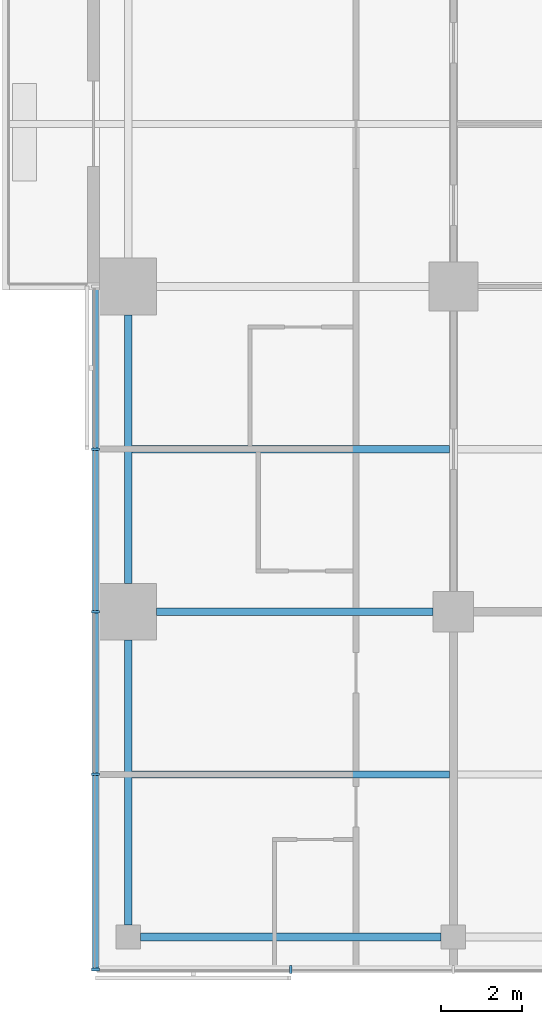
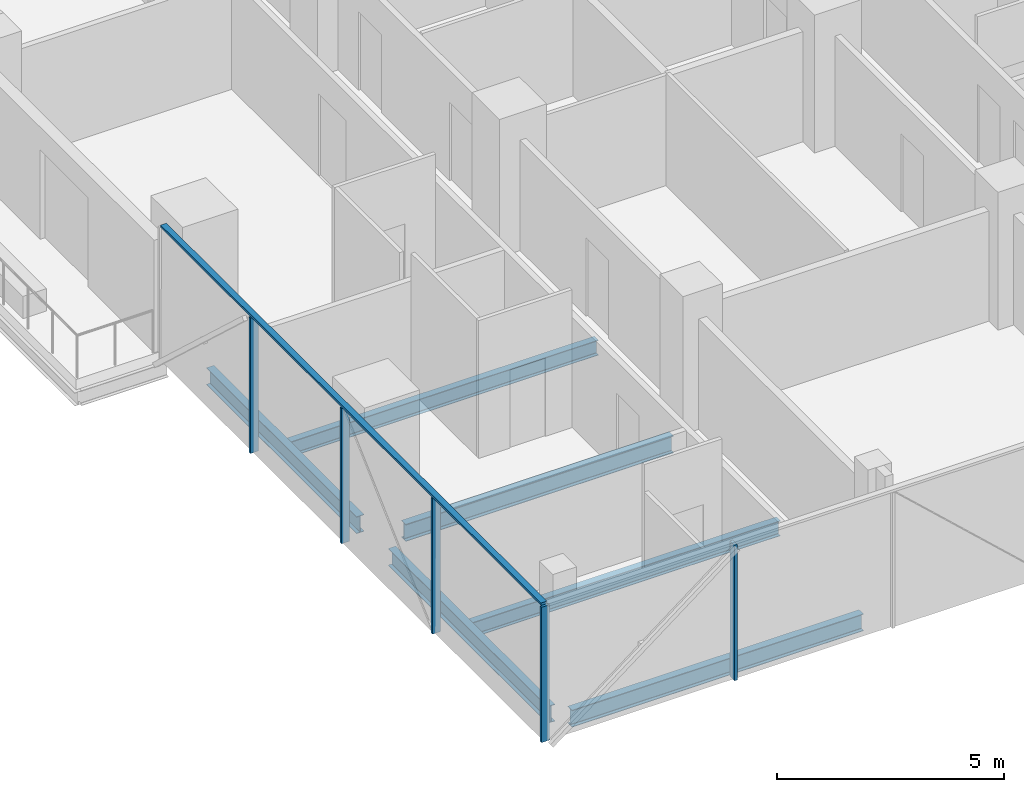
# One storey, part 2 of 27: 6 beams, 6 members, 2 elements without a shape of their own.
"""IFC4 building model written with IfcOpenShell, lengths in metres."""

from ifc_helpers import new_model, si_unit, direction, frame, origin, origin_2d, place, context, subcontext, project, spatial, rectangle, i_section, extrude, material, material_profile, profile_set, type_object, element, aggregate, save


model = new_model("IFC4")

# Units and contexts
model_context = context("Model", 3, precision=1e-05, world=origin(), true_north=direction((0.0, 1.0)))
body_context = subcontext(model_context, "Body", "Model", "MODEL_VIEW")
ifc_project = project(units=[si_unit("LENGTHUNIT", "METRE"), si_unit("AREAUNIT", "SQUARE_METRE"), si_unit("VOLUMEUNIT", "CUBIC_METRE"), si_unit("PLANEANGLEUNIT", "RADIAN"), si_unit("MASSUNIT", "GRAM", prefix="KILO")], contexts=[model_context])

# Site, building, storey
site_placement = place(None, origin())
site = spatial("IfcSite", under=ifc_project, at=site_placement, CompositionType="ELEMENT")
building_placement = place(site_placement, origin())
building = spatial("IfcBuilding", under=site, at=building_placement, Name="Crosswind Convention Tower", CompositionType="ELEMENT")
storey_placement = place(building_placement, frame((0.0, 0.0, 79.39990234375)))
storey = spatial("IfcBuildingStorey", under=building, at=storey_placement, Name="L14", CompositionType="ELEMENT", Elevation=79.39990234375)

# Beams
ifc_material_1 = material(Name="Steel S355", Category="steel")
ifc_material_profile_1 = material_profile(ifc_material_1, i_section(OverallWidth=0.1904296875, OverallDepth=0.457275390625, WebThickness=0.009033203125, FlangeThickness=0.014404296875, FilletRadius=0.01025390625, at=origin_2d()), Name="UB 457x191x75")
ifc_profile_set_1 = profile_set([ifc_material_profile_1], Name="Steel S355")
beam_type_1 = type_object("IfcBeamType", Name="Edge beam UB 457x191x75", PredefinedType="SPANDREL", material=ifc_profile_set_1)
beam_1_placement = place(storey_placement, frame((113.0, 64.300048828125, -0.508544921875), z_axis=(0.0, 1.0, 0.0), x_axis=(-1.0, 0.0, 0.0)))
element("IfcBeam", 1, at=beam_1_placement, inside=storey, type_object=beam_type_1, Name="B17 L14 edge beam 6", PredefinedType="SPANDREL", context=body_context, shape_type="SweptSolid", body=[
    extrude(i_section(OverallWidth=0.1904296875, OverallDepth=0.457275390625, WebThickness=0.009033203125, FlangeThickness=0.014404296875, FilletRadius=0.01025390625, at=origin_2d()), origin(), (0.0, 0.0, 1.0), 7.0),
])
beam_2_placement = place(storey_placement, frame((113.0, 72.699951171875, -0.508544921875), z_axis=(0.0, 1.0, 0.0), x_axis=(-1.0, 0.0, 0.0)))
element("IfcBeam", 2, at=beam_2_placement, inside=storey, type_object=beam_type_1, Name="B17 L14 edge beam 7", PredefinedType="SPANDREL", context=body_context, shape_type="SweptSolid", body=[
    extrude(i_section(OverallWidth=0.1904296875, OverallDepth=0.457275390625, WebThickness=0.009033203125, FlangeThickness=0.014404296875, FilletRadius=0.01025390625, at=origin_2d()), origin(), (0.0, 0.0, 1.0), 6.60009765625),
])
beam_3_placement = place(storey_placement, frame((113.300048828125, 64.0, -0.508544921875), z_axis=(1.0, 0.0, 0.0), x_axis=(0.0, 1.0, 0.0)))
element("IfcBeam", 3, at=beam_3_placement, inside=storey, type_object=beam_type_1, Name="B17 L14 edge beam 12", PredefinedType="SPANDREL", context=body_context, shape_type="SweptSolid", body=[
    extrude(i_section(OverallWidth=0.1904296875, OverallDepth=0.457275390625, WebThickness=0.009033203125, FlangeThickness=0.014404296875, FilletRadius=0.01025390625, at=origin_2d()), origin(), (0.0, 0.0, 1.0), 7.39990234375),
])
ifc_material_profile_2 = material_profile(ifc_material_1, i_section(OverallWidth=0.19140625, OverallDepth=0.460205078125, WebThickness=0.010009765625, FlangeThickness=0.01611328125, FilletRadius=0.01025390625, at=origin_2d()), Name="UB 457x191x82")
ifc_profile_set_2 = profile_set([ifc_material_profile_2], Name="Steel S355")
beam_type_2 = type_object("IfcBeamType", Name="Girder UB 457x191x82", PredefinedType="BEAM", material=ifc_profile_set_2)
beam_4_placement = place(storey_placement, frame((113.699951171875, 72.0, -0.510009765625), z_axis=(1.0, 0.0, 0.0), x_axis=(0.0, 1.0, 0.0)))
element("IfcBeam", 4, at=beam_4_placement, inside=storey, type_object=beam_type_2, Name="B3 L14 girder 1", PredefinedType="BEAM", context=body_context, shape_type="SweptSolid", body=[
    extrude(i_section(OverallWidth=0.19140625, OverallDepth=0.460205078125, WebThickness=0.010009765625, FlangeThickness=0.01611328125, FilletRadius=0.01025390625, at=origin_2d()), origin(), (0.0, 0.0, 1.0), 6.800048828125),
])

# Curtain wall, members
ifc_material_2 = material(Name="Aluminium unitised curtain wall", Category="aluminium")
curtain_wall_type = type_object("IfcCurtainWallType", Name="HOTEL UNITISED WALL 200", PredefinedType="USERDEFINED", material=ifc_material_2)
curtain_wall_1_placement = place(storey_placement, origin())
curtain_wall_1 = element("IfcCurtainWall", 5, at=curtain_wall_1_placement, inside=storey, type_object=curtain_wall_type, Name="CW2 L14 S-W 1", ObjectType="UNITISED", PredefinedType="USERDEFINED")
ifc_material_3 = material(Name="Aluminium mullion", Category="aluminium")
ifc_material_profile_3 = material_profile(ifc_material_3, rectangle(XDim=0.199951171875, YDim=0.06494140625, at=origin_2d()), Name="AL 200X65")
ifc_profile_set_3 = profile_set([ifc_material_profile_3], Name="Aluminium mullion")
member_type_1 = type_object("IfcMemberType", Name="MULLION 65X200", PredefinedType="MULLION", material=ifc_profile_set_3)
member_1_placement = place(storey_placement, frame((112.199951171875, 76.0, -0.27978515625), z_axis=(0.0, 0.0, 1.0), x_axis=(-1.0, 0.0, 0.0)))
member_1 = element("IfcMember", 6, at=member_1_placement, type_object=member_type_1, Name="CW2 mullion 2", PredefinedType="MULLION", context=body_context, shape_type="SweptSolid", body=[
    extrude(rectangle(XDim=0.199951171875, YDim=0.06494140625, at=origin_2d()), origin(), (0.0, 0.0, 1.0), 3.634765625),
])
member_2_placement = place(storey_placement, frame((112.199951171875, 72.0, -0.27978515625), z_axis=(0.0, 0.0, 1.0), x_axis=(-1.0, 0.0, 0.0)))
member_2 = element("IfcMember", 7, at=member_2_placement, type_object=member_type_1, Name="CW2 mullion 3", PredefinedType="MULLION", context=body_context, shape_type="SweptSolid", body=[
    extrude(rectangle(XDim=0.199951171875, YDim=0.06494140625, at=origin_2d()), origin(), (0.0, 0.0, 1.0), 3.634765625),
])
member_3_placement = place(storey_placement, frame((112.199951171875, 68.0, -0.27978515625), z_axis=(0.0, 0.0, 1.0), x_axis=(-1.0, 0.0, 0.0)))
member_3 = element("IfcMember", 8, at=member_3_placement, type_object=member_type_1, Name="CW2 mullion 4", PredefinedType="MULLION", context=body_context, shape_type="SweptSolid", body=[
    extrude(rectangle(XDim=0.199951171875, YDim=0.06494140625, at=origin_2d()), origin(), (0.0, 0.0, 1.0), 3.634765625),
])
member_4_placement = place(storey_placement, frame((112.199951171875, 63.199951171875, -0.27978515625), z_axis=(0.0, 0.0, 1.0), x_axis=(-1.0, 0.0, 0.0)))
member_4 = element("IfcMember", 9, at=member_4_placement, type_object=member_type_1, Name="CW2 mullion 5", PredefinedType="MULLION", context=body_context, shape_type="SweptSolid", body=[
    extrude(rectangle(XDim=0.199951171875, YDim=0.06494140625, at=origin_2d()), origin(), (0.0, 0.0, 1.0), 3.634765625),
])

# Curtain wall, member
curtain_wall_2_placement = place(storey_placement, origin())
curtain_wall_2 = element("IfcCurtainWall", 10, at=curtain_wall_2_placement, inside=storey, type_object=curtain_wall_type, Name="CW2 L14 S-TIP 1", ObjectType="UNITISED", PredefinedType="USERDEFINED")
member_5_placement = place(storey_placement, frame((117.0, 63.199951171875, -0.27978515625), z_axis=(0.0, 0.0, 1.0), x_axis=(0.0, -1.0, 0.0)))
member_5 = element("IfcMember", 11, at=member_5_placement, type_object=member_type_1, Name="CW2 mullion 2", PredefinedType="MULLION", context=body_context, shape_type="SweptSolid", body=[
    extrude(rectangle(XDim=0.199951171875, YDim=0.06494140625, at=origin_2d()), origin(), (0.0, 0.0, 1.0), 3.634765625),
])
aggregate(curtain_wall_2, [member_5])

# Beams
ifc_material_profile_4 = material_profile(ifc_material_1, i_section(OverallWidth=0.177734375, OverallDepth=0.406494140625, WebThickness=0.0078125, FlangeThickness=0.0126953125, FilletRadius=0.01025390625, at=origin_2d()), Name="UB 406x178x60")
ifc_profile_set_4 = profile_set([ifc_material_profile_4], Name="Steel S355")
beam_type_3 = type_object("IfcBeamType", Name="Secondary beam UB 406x178x60", PredefinedType="JOIST", material=ifc_profile_set_4)
for number, where, z_axis, x_axis, name in (
    (12, (113.09521484375, 68.0, -0.483154296875), (1.0, 0.0, 0.0), (0.0, 1.0, 0.0), "B10 L14 secondary beam 7"),
    (13, (113.09521484375, 76.0, -0.483154296875), (1.0, 0.0, 0.0), (0.0, 1.0, 0.0), "B10 L14 secondary beam 8"),
):
    element("IfcBeam", number, at=place(storey_placement, frame(where, z_axis=z_axis, x_axis=x_axis)), inside=storey, type_object=beam_type_3, Name=name, PredefinedType="JOIST", context=body_context, shape_type="SweptSolid", body=[
        extrude(i_section(OverallWidth=0.177734375, OverallDepth=0.406494140625, WebThickness=0.0078125, FlangeThickness=0.0126953125, FilletRadius=0.01025390625, at=origin_2d()), origin(), (0.0, 0.0, 1.0), 7.80908203125),
    ])

# Member
ifc_material_4 = material(Name="Aluminium transom", Category="aluminium")
ifc_material_profile_5 = material_profile(ifc_material_4, rectangle(XDim=0.14990234375, YDim=0.06494140625, at=origin_2d()), Name="AL 150X65")
ifc_profile_set_5 = profile_set([ifc_material_profile_5], Name="Aluminium transom")
member_type_2 = type_object("IfcMemberType", Name="TRANSOM 65X150", PredefinedType="USERDEFINED", material=ifc_profile_set_5)
member_6_placement = place(storey_placement, frame((112.199951171875, 79.967529296875, 3.3876953125), z_axis=(0.0, -1.0, 0.0), x_axis=(1.0, 0.0, 0.0)))
member_6 = element("IfcMember", 14, at=member_6_placement, type_object=member_type_2, Name="CW2 transom", ObjectType="TRANSOM", PredefinedType="USERDEFINED", context=body_context, shape_type="SweptSolid", body=[
    extrude(rectangle(XDim=0.14990234375, YDim=0.06494140625, at=origin_2d()), origin(), (0.0, 0.0, 1.0), 16.735107421875),
])

aggregate(curtain_wall_1, [member_1, member_2, member_3, member_4, member_6])

save(model, "model.ifc")
